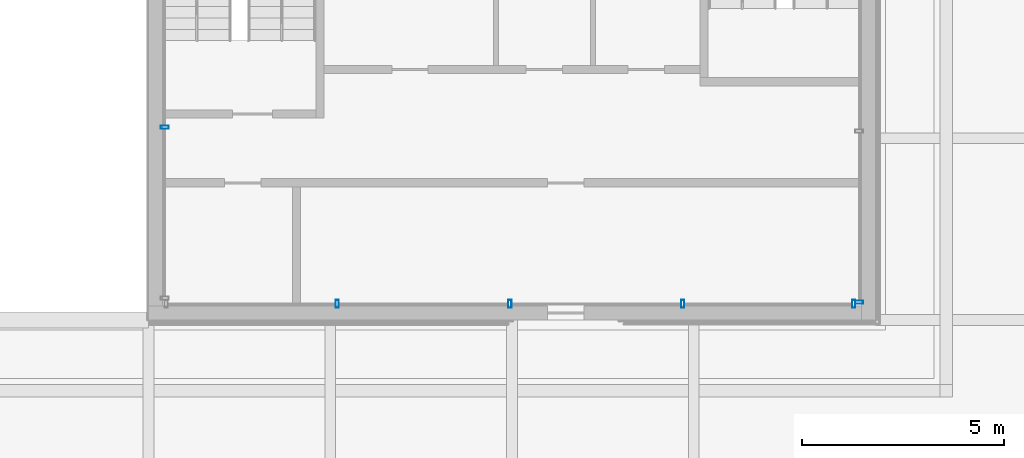
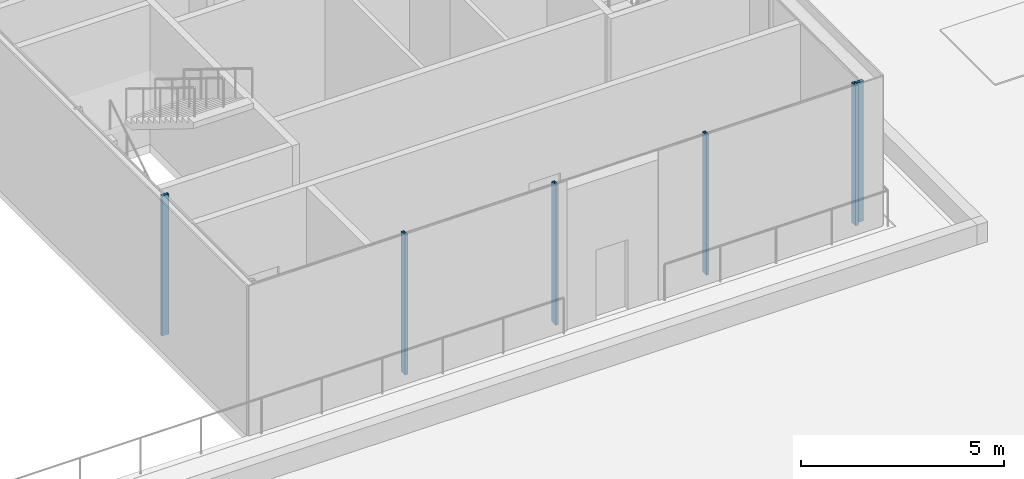
# One storey, part 4 of 11: 6 members, 3 elements without a shape of their own.
"""IFC4 building model written with IfcOpenShell, lengths in metres."""

from ifc_helpers import new_model, si_unit, direction, frame, origin, origin_2d, place, context, subcontext, project, spatial, hollow_rectangle, extrude, material, material_profile, profile_set, type_object, element, aggregate, save


model = new_model("IFC4")

# Units and contexts
model_context = context("Model", 3, precision=1e-05, world=origin(), true_north=direction((0.0, 1.0)))
body_context = subcontext(model_context, "Body", "Model", "MODEL_VIEW")
ifc_project = project(units=[si_unit("LENGTHUNIT", "METRE"), si_unit("AREAUNIT", "SQUARE_METRE"), si_unit("VOLUMEUNIT", "CUBIC_METRE"), si_unit("PLANEANGLEUNIT", "RADIAN"), si_unit("MASSUNIT", "GRAM", prefix="KILO")], contexts=[model_context])

# Site, building, storey
site_placement = place(None, origin())
site = spatial("IfcSite", under=ifc_project, at=site_placement, CompositionType="ELEMENT")
building_placement = place(site_placement, origin())
building = spatial("IfcBuilding", under=site, at=building_placement, Name="Altepetl Exchange Towers", CompositionType="ELEMENT")
storey_placement = place(building_placement, frame((0.0, 0.0, 274.60009765625)))
storey = spatial("IfcBuildingStorey", under=building, at=storey_placement, Name="L69 Crown plant", CompositionType="ELEMENT", Elevation=274.60009765625)

# Curtain wall, member
ifc_material_1 = material(Name="Aluminium 6063-T6 glazing", Category="aluminium")
curtain_wall_type = type_object("IfcCurtainWallType", Name="Crown glazing system", PredefinedType="NOTDEFINED", material=ifc_material_1)
curtain_wall_1_placement = place(storey_placement, origin())
curtain_wall_1 = element("IfcCurtainWall", 1, at=curtain_wall_1_placement, inside=storey, type_object=curtain_wall_type, Name="CW7 run", PredefinedType="NOTDEFINED")
ifc_material_2 = material(Name="Aluminium 6063-T6", Category="aluminium")
ifc_material_profile = material_profile(ifc_material_2, hollow_rectangle(XDim=0.080078125, YDim=0.199951171875, WallThickness=0.0029296875, at=origin_2d()), Name="Mullion 80x200 hollow aluminium")
ifc_profile_set = profile_set([ifc_material_profile], Name="Aluminium 6063-T6")
member_type = type_object("IfcMemberType", Name="Mullion 80x200 hollow aluminium", PredefinedType="MULLION", material=ifc_profile_set)
member_1_placement = place(storey_placement, frame((58.10009765625, 40.93994140625, 0.0), z_axis=(0.0, 0.0, 1.0), x_axis=(0.0, 1.0, 0.0)))
member_1 = element("IfcMember", 2, at=member_1_placement, type_object=member_type, Name="MU5 mullion", PredefinedType="MULLION", context=body_context, shape_type="SweptSolid", body=[
    extrude(hollow_rectangle(XDim=0.080078125, YDim=0.199951171875, WallThickness=0.0029296875, at=origin_2d()), origin(), (0.0, 0.0, 1.0), 4.199951171875),
])
aggregate(curtain_wall_1, [member_1])

curtain_wall_2_placement = place(storey_placement, origin())
curtain_wall_2 = element("IfcCurtainWall", 3, at=curtain_wall_2_placement, inside=storey, type_object=curtain_wall_type, Name="CW7 run", PredefinedType="NOTDEFINED")
member_2_placement = place(storey_placement, frame((40.89990234375, 45.27490234375, 0.0), z_axis=(0.0, 0.0, 1.0), x_axis=(0.0, -1.0, 0.0)))
member_2 = element("IfcMember", 4, at=member_2_placement, type_object=member_type, Name="MU5 mullion", PredefinedType="MULLION", context=body_context, shape_type="SweptSolid", body=[
    extrude(hollow_rectangle(XDim=0.080078125, YDim=0.199951171875, WallThickness=0.0029296875, at=origin_2d()), origin(), (0.0, 0.0, 1.0), 4.199951171875),
])
aggregate(curtain_wall_2, [member_2])

# Curtain wall, members
curtain_wall_3_placement = place(storey_placement, origin())
curtain_wall_3 = element("IfcCurtainWall", 5, at=curtain_wall_3_placement, inside=storey, type_object=curtain_wall_type, Name="CW7 run", PredefinedType="NOTDEFINED")
member_3_placement = place(storey_placement, frame((45.175048828125, 40.89990234375, 0.0)))
member_3 = element("IfcMember", 6, at=member_3_placement, type_object=member_type, Name="MU5 mullion", PredefinedType="MULLION", context=body_context, shape_type="SweptSolid", body=[
    extrude(hollow_rectangle(XDim=0.080078125, YDim=0.199951171875, WallThickness=0.0029296875, at=origin_2d()), origin(), (0.0, 0.0, 1.0), 4.199951171875),
])
member_4_placement = place(storey_placement, frame((49.449951171875, 40.89990234375, 0.0)))
member_4 = element("IfcMember", 7, at=member_4_placement, type_object=member_type, Name="MU5 mullion", PredefinedType="MULLION", context=body_context, shape_type="SweptSolid", body=[
    extrude(hollow_rectangle(XDim=0.080078125, YDim=0.199951171875, WallThickness=0.0029296875, at=origin_2d()), origin(), (0.0, 0.0, 1.0), 4.199951171875),
])
member_5_placement = place(storey_placement, frame((53.72509765625, 40.89990234375, 0.0)))
member_5 = element("IfcMember", 8, at=member_5_placement, type_object=member_type, Name="MU5 mullion", PredefinedType="MULLION", context=body_context, shape_type="SweptSolid", body=[
    extrude(hollow_rectangle(XDim=0.080078125, YDim=0.199951171875, WallThickness=0.0029296875, at=origin_2d()), origin(), (0.0, 0.0, 1.0), 4.199951171875),
])
member_6_placement = place(storey_placement, frame((57.9599609375, 40.89990234375, 0.0)))
member_6 = element("IfcMember", 9, at=member_6_placement, type_object=member_type, Name="MU5 mullion", PredefinedType="MULLION", context=body_context, shape_type="SweptSolid", body=[
    extrude(hollow_rectangle(XDim=0.080078125, YDim=0.199951171875, WallThickness=0.0029296875, at=origin_2d()), origin(), (0.0, 0.0, 1.0), 4.199951171875),
])
aggregate(curtain_wall_3, [member_3, member_4, member_5, member_6])

save(model, "model.ifc")
